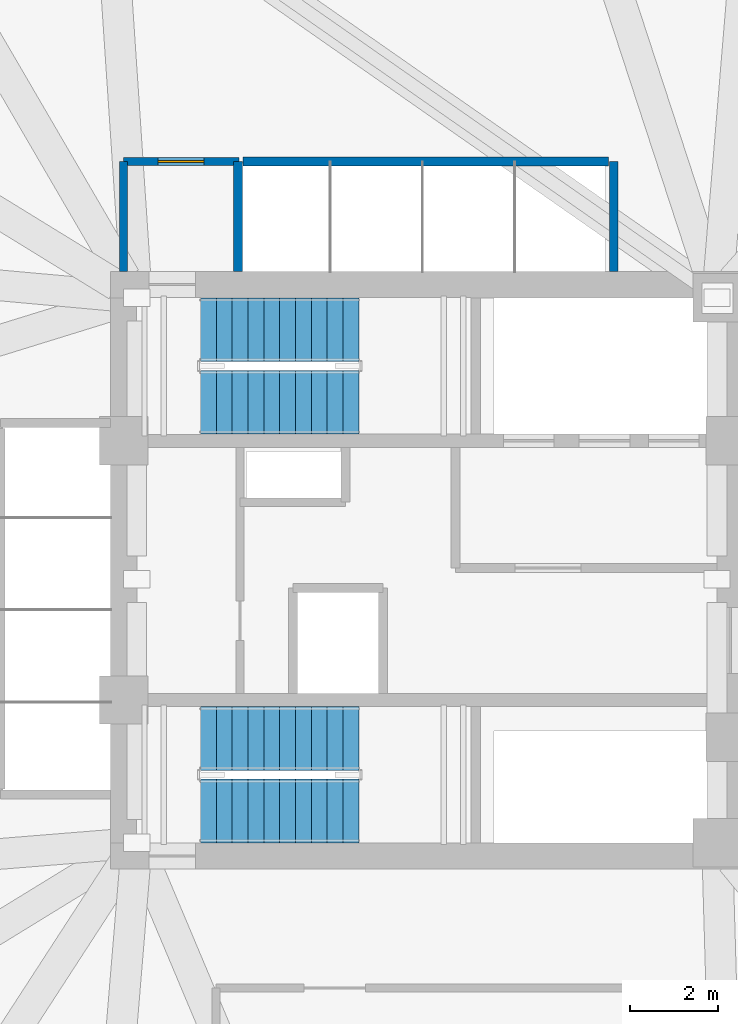
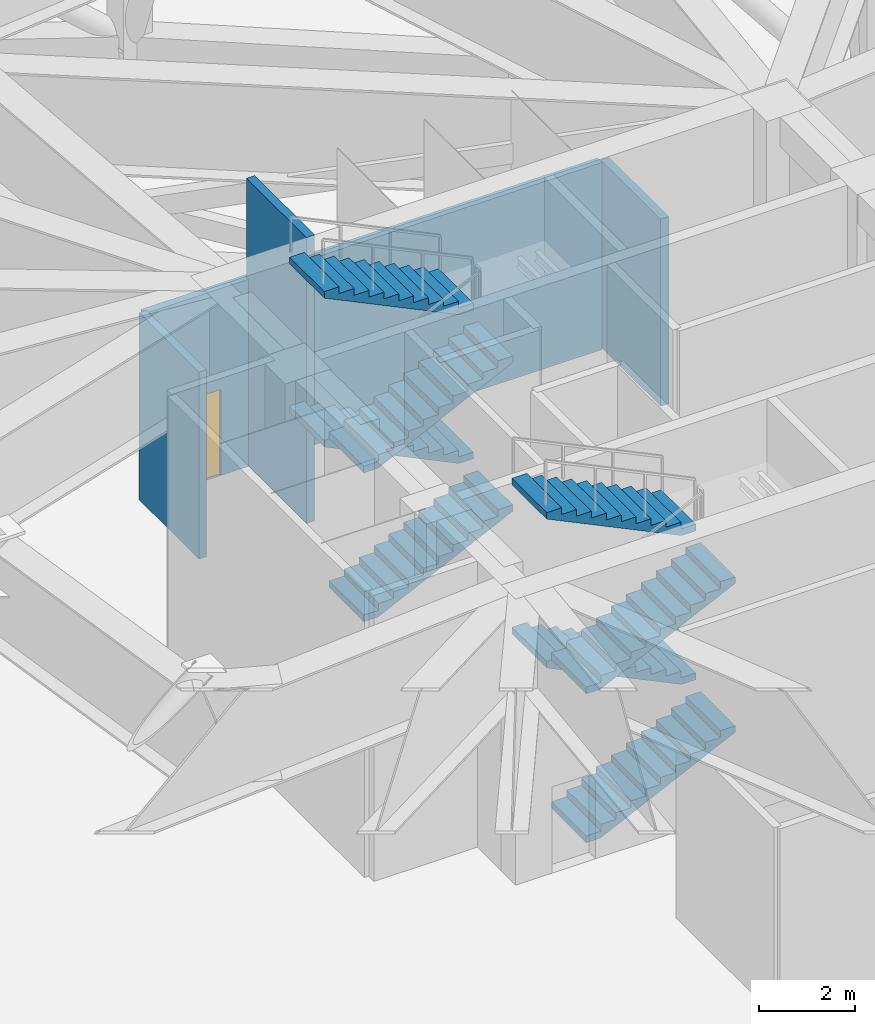
# One storey, part 5 of 8: 8 stair flights, 5 walls, 1 door, 1 opening, 2 elements without a shape of their own.
"""IFC4 building model written with IfcOpenShell, lengths in metres."""

from ifc_helpers import new_model, si_unit, direction, frame, frame_2d, origin, place, context, subcontext, project, spatial, polyline, rectangle, outline, extrude, material, layer, layer_set, type_object, element, fill, aggregate, save


model = new_model("IFC4")

# Units and contexts
model_context = context("Model", 3, precision=1e-05, world=origin(), true_north=direction((0.0, 1.0)))
body_context = subcontext(model_context, "Body", "Model", "MODEL_VIEW")
ifc_project = project(units=[si_unit("LENGTHUNIT", "METRE"), si_unit("AREAUNIT", "SQUARE_METRE"), si_unit("VOLUMEUNIT", "CUBIC_METRE"), si_unit("PLANEANGLEUNIT", "RADIAN"), si_unit("MASSUNIT", "GRAM", prefix="KILO")], contexts=[model_context])

# Site, building, storey
site_placement = place(None, origin())
site = spatial("IfcSite", under=ifc_project, at=site_placement, CompositionType="ELEMENT")
building_placement = place(site_placement, origin())
building = spatial("IfcBuilding", under=site, at=building_placement, Name="Tavelor Broadcast Tower", CompositionType="ELEMENT")
storey_placement = place(building_placement, frame((0.0, 0.0, 102.800048828125)))
storey = spatial("IfcBuildingStorey", under=building, at=storey_placement, Name="L24", CompositionType="ELEMENT", Elevation=102.800048828125)

# Wall, opening, door
ifc_material_1 = material(Name="Calcium Silicate Fire Board 180 mm", Category="gypsum")
ifc_layer_1 = layer(ifc_material_1, 0.179931640625)
ifc_layer_set_1 = layer_set([ifc_layer_1], Name="Calcium Silicate Fire Board 180 mm")
wall_type_1 = type_object("IfcWallType", Name="Fire-Rated Corridor Partition Wall 180 mm", PredefinedType="PARTITIONING", material=ifc_layer_set_1)
wall_1_placement = place(storey_placement, frame((43.10009765625, 54.300048828125, 0.0), z_axis=(0.0, 0.0, 1.0), x_axis=(1.0, 0.0, 0.0)))
wall_1 = element("IfcWall", 1, at=wall_1_placement, inside=storey, type_object=wall_type_1, Name="L24 Stair ST1 Lobby North Wall", PredefinedType="PARTITIONING", context=body_context, shape_type="SweptSolid", body=[
    extrude(rectangle(XDim=2.619873046875, YDim=0.179931640625, at=frame_2d((1.31005859375, 0.0))), origin(), (0.0, 0.0, 1.0), 4.77490234375),
])
opening_placement = place(wall_1_placement, frame((0.780029296875, 0.0, 0.0)))
opening = element("IfcOpeningElement", 2, at=opening_placement, cuts=wall_1, Name="Opening DR11", PredefinedType="OPENING", context=body_context, shape_type="SweptSolid", body=[
    extrude(rectangle(XDim=1.050048828125, YDim=2.199951171875, at=frame_2d((0.52490234375, 1.10009765625))), frame((0.0, 0.10009765625, 0.0), z_axis=(0.0, -1.0, 0.0), x_axis=(1.0, 0.0, 0.0)), (0.0, 0.0, 1.0), 0.199951171875),
])
ifc_material_2 = material(Name="Steel S355", Category="steel")
door_type = type_object("IfcDoorType", Name="Stair Core Fire Escape Door 1050x2200", OperationType="NOTDEFINED", PredefinedType="DOOR", material=ifc_material_2)
door_placement = place(opening_placement, origin())
door = element("IfcDoor", 3, at=door_placement, inside=storey, type_object=door_type, Name="L24 Stair ST1 Lobby Corridor Door", OperationType="SINGLE_SWING_LEFT", OverallHeight=2.199951171875, OverallWidth=1.050048828125, PredefinedType="DOOR", context=body_context, shape_type="SweptSolid", body=[
    extrude(rectangle(XDim=1.050048828125, YDim=2.199951171875, at=frame_2d((0.52490234375, 1.10009765625))), frame((0.0, 0.02490234375, 0.0), z_axis=(0.0, -1.0, 0.0), x_axis=(1.0, 0.0, 0.0)), (0.0, 0.0, 1.0), 0.050048828125),
])
fill(opening, door)

# Walls
wall_2_placement = place(storey_placement, frame((43.10009765625, 51.800048828125, 0.0), z_axis=(0.0, 0.0, 1.0), x_axis=(0.0, 1.0, 0.0)))
element("IfcWall", 4, at=wall_2_placement, inside=storey, type_object=wall_type_1, Name="L24 Stair ST1 Lobby West Wall", PredefinedType="PARTITIONING", context=body_context, shape_type="SweptSolid", body=[
    extrude(rectangle(XDim=2.5, YDim=0.179931640625, at=frame_2d((1.25, 0.0))), origin(), (0.0, 0.0, 1.0), 4.77490234375),
])
ifc_material_3 = material(Name="Concrete Blockwork 200 mm", Category="masonry")
ifc_layer_2 = layer(ifc_material_3, 0.199951171875)
ifc_layer_set_2 = layer_set([ifc_layer_2], Name="Concrete Blockwork 200 mm")
wall_type_2 = type_object("IfcWallType", Name="Lift Hoistway Rated Front Wall 200 mm", PredefinedType="PARTITIONING", material=ifc_layer_set_2)
wall_3_placement = place(storey_placement, frame((45.820068359375, 54.300048828125, 0.0), z_axis=(0.0, 0.0, 1.0), x_axis=(1.0, 0.0, 0.0)))
element("IfcWall", 5, at=wall_3_placement, inside=storey, type_object=wall_type_2, Name="L24 High-Rise Lift Hoistway Front Wall", PredefinedType="PARTITIONING", context=body_context, shape_type="SweptSolid", body=[
    extrude(rectangle(XDim=8.309814453125, YDim=0.199951171875, at=frame_2d((4.15478515625, 0.0))), origin(), (0.0, 0.0, 1.0), 4.77490234375),
])
ifc_layer_3 = layer(ifc_material_3, 0.199951171875)
ifc_layer_set_3 = layer_set([ifc_layer_3], Name="Concrete Blockwork 200 mm")
wall_type_3 = type_object("IfcWallType", Name="Lift and Riser Shaft Enclosure Wall 200 mm", PredefinedType="PARTITIONING", material=ifc_layer_set_3)
wall_4_placement = place(storey_placement, frame((45.699951171875, 51.800048828125, 0.0), z_axis=(0.0, 0.0, 1.0), x_axis=(0.0, 1.0, 0.0)))
element("IfcWall", 6, at=wall_4_placement, inside=storey, type_object=wall_type_3, Name="L24 High-Rise Lift Shaft West Wall", PredefinedType="PARTITIONING", context=body_context, shape_type="SweptSolid", body=[
    extrude(rectangle(XDim=2.5, YDim=0.199951171875, at=frame_2d((1.25, 0.0))), origin(), (0.0, 0.0, 1.0), 7.300048828125),
])
wall_5_placement = place(storey_placement, frame((54.25, 51.800048828125, 0.0), z_axis=(0.0, 0.0, 1.0), x_axis=(0.0, 1.0, 0.0)))
element("IfcWall", 7, at=wall_5_placement, inside=storey, type_object=wall_type_3, Name="L24 High-Rise Lift Shaft East Wall", PredefinedType="PARTITIONING", context=body_context, shape_type="SweptSolid", body=[
    extrude(rectangle(XDim=2.5, YDim=0.199951171875, at=frame_2d((1.25, 0.0))), origin(), (0.0, 0.0, 1.0), 4.77490234375),
])

# Stair, stair flights
ifc_material_4 = material(Name="Concrete C40/50", Category="concrete")
stair_type = type_object("IfcStairType", Name="Reinforced Concrete Protected Dogleg Stair 1450 mm", PredefinedType="HALF_TURN_STAIR", material=ifc_material_4)
stair_1_placement = place(storey_placement, origin())
stair_1 = element("IfcStair", 8, at=stair_1_placement, inside=storey, type_object=stair_type, Name="L24 Protected Core Exit Stair ST1", PredefinedType="HALF_TURN_STAIR")
stair_flight_type = type_object("IfcStairFlightType", Name="Reinforced Concrete Stair Flight 1450 mm", PredefinedType="STRAIGHT", material=ifc_material_4)
stair_flight_1_placement = place(storey_placement, frame((44.85009765625, 48.824951171875, 0.0), z_axis=(0.0, 0.0, 1.0), x_axis=(1.0, 0.0, 0.0)))
stair_flight_1 = element("IfcStairFlight", 9, at=stair_flight_1_placement, type_object=stair_flight_type, Name="ST1 flight 1", NumberOfRisers=11, NumberOfTreads=10, PredefinedType="STRAIGHT", RiserHeight=0.172727273, TreadLength=0.36, context=body_context, shape_type="SweptSolid", body=[
    extrude(outline(polyline([(0.0, 0.0), (0.0, 0.172607421875), (0.360107421875, 0.172607421875), (0.360107421875, 0.345458984375), (0.719970703125, 0.345458984375), (0.719970703125, 0.51806640625), (1.080078125, 0.51806640625), (1.080078125, 0.69091796875), (1.43994140625, 0.69091796875), (1.43994140625, 0.863525390625), (1.800048828125, 0.863525390625), (1.800048828125, 1.036376953125), (2.159912109375, 1.036376953125), (2.159912109375, 1.208984375), (2.52001953125, 1.208984375), (2.52001953125, 1.3818359375), (2.8798828125, 1.3818359375), (2.8798828125, 1.554443359375), (3.239990234375, 1.554443359375), (3.239990234375, 1.727294921875), (3.60009765625, 1.727294921875), (3.60009765625, 1.89990234375), (3.60009765625, 1.56103515625), (0.346435546875, 0.0), (0.0, 0.0)])), frame((0.0, 0.72509765625, 0.0), z_axis=(0.0, -1.0, 0.0), x_axis=(1.0, 0.0, 0.0)), (0.0, 0.0, 1.0), 1.449951171875),
])
stair_flight_2_placement = place(storey_placement, frame((48.449951171875, 50.47509765625, 1.89990234375), z_axis=(0.0, 0.0, 1.0), x_axis=(-1.0, 0.0, 0.0)))
stair_flight_2 = element("IfcStairFlight", 10, at=stair_flight_2_placement, type_object=stair_flight_type, Name="ST1 flight 2", NumberOfRisers=11, NumberOfTreads=10, PredefinedType="STRAIGHT", RiserHeight=0.172727273, TreadLength=0.36, context=body_context, shape_type="SweptSolid", body=[
    extrude(outline(polyline([(0.0, 0.0), (0.0, 0.172607421875), (0.360107421875, 0.172607421875), (0.360107421875, 0.345458984375), (0.719970703125, 0.345458984375), (0.719970703125, 0.51806640625), (1.080078125, 0.51806640625), (1.080078125, 0.69091796875), (1.43994140625, 0.69091796875), (1.43994140625, 0.863525390625), (1.800048828125, 0.863525390625), (1.800048828125, 1.036376953125), (2.159912109375, 1.036376953125), (2.159912109375, 1.208984375), (2.52001953125, 1.208984375), (2.52001953125, 1.3818359375), (2.8798828125, 1.3818359375), (2.8798828125, 1.554443359375), (3.239990234375, 1.554443359375), (3.239990234375, 1.727294921875), (3.60009765625, 1.727294921875), (3.60009765625, 1.89990234375), (3.60009765625, 1.56103515625), (0.346435546875, 0.0), (0.0, 0.0)])), frame((0.0, 0.72509765625, 0.0), z_axis=(0.0, -1.0, 0.0), x_axis=(1.0, 0.0, 0.0)), (0.0, 0.0, 1.0), 1.449951171875),
])
stair_flight_3_placement = place(storey_placement, frame((44.85009765625, 48.824951171875, 3.800048828125), z_axis=(0.0, 0.0, 1.0), x_axis=(1.0, 0.0, 0.0)))
stair_flight_3 = element("IfcStairFlight", 11, at=stair_flight_3_placement, type_object=stair_flight_type, Name="ST1 flight 3", NumberOfRisers=11, NumberOfTreads=10, PredefinedType="STRAIGHT", RiserHeight=0.172727273, TreadLength=0.36, context=body_context, shape_type="SweptSolid", body=[
    extrude(outline(polyline([(0.0, 0.0), (0.0, 0.172607421875), (0.360107421875, 0.172607421875), (0.360107421875, 0.345458984375), (0.719970703125, 0.345458984375), (0.719970703125, 0.51806640625), (1.080078125, 0.51806640625), (1.080078125, 0.69091796875), (1.43994140625, 0.69091796875), (1.43994140625, 0.863525390625), (1.800048828125, 0.863525390625), (1.800048828125, 1.036376953125), (2.159912109375, 1.036376953125), (2.159912109375, 1.208984375), (2.52001953125, 1.208984375), (2.52001953125, 1.3818359375), (2.8798828125, 1.3818359375), (2.8798828125, 1.554443359375), (3.239990234375, 1.554443359375), (3.239990234375, 1.727294921875), (3.60009765625, 1.727294921875), (3.60009765625, 1.89990234375), (3.60009765625, 1.56103515625), (0.346435546875, 0.0), (0.0, 0.0)])), frame((0.0, 0.72509765625, 0.0), z_axis=(0.0, -1.0, 0.0), x_axis=(1.0, 0.0, 0.0)), (0.0, 0.0, 1.0), 1.449951171875),
])
stair_flight_4_placement = place(storey_placement, frame((48.449951171875, 50.47509765625, 5.699951171875), z_axis=(0.0, 0.0, 1.0), x_axis=(-1.0, 0.0, 0.0)))
stair_flight_4 = element("IfcStairFlight", 12, at=stair_flight_4_placement, type_object=stair_flight_type, Name="ST1 flight 4", NumberOfRisers=11, NumberOfTreads=10, PredefinedType="STRAIGHT", RiserHeight=0.172727273, TreadLength=0.36, context=body_context, shape_type="SweptSolid", body=[
    extrude(outline(polyline([(0.0, 0.0), (0.0, 0.172607421875), (0.360107421875, 0.172607421875), (0.360107421875, 0.345458984375), (0.719970703125, 0.345458984375), (0.719970703125, 0.51806640625), (1.080078125, 0.51806640625), (1.080078125, 0.69091796875), (1.43994140625, 0.69091796875), (1.43994140625, 0.863525390625), (1.800048828125, 0.863525390625), (1.800048828125, 1.036376953125), (2.159912109375, 1.036376953125), (2.159912109375, 1.208984375), (2.52001953125, 1.208984375), (2.52001953125, 1.3818359375), (2.8798828125, 1.3818359375), (2.8798828125, 1.554443359375), (3.239990234375, 1.554443359375), (3.239990234375, 1.727294921875), (3.60009765625, 1.727294921875), (3.60009765625, 1.89990234375), (3.60009765625, 1.56103515625), (0.346435546875, 0.0), (0.0, 0.0)])), frame((0.0, 0.72509765625, 0.0), z_axis=(0.0, -1.0, 0.0), x_axis=(1.0, 0.0, 0.0)), (0.0, 0.0, 1.0), 1.449951171875),
])
aggregate(stair_1, [stair_flight_1, stair_flight_2, stair_flight_3, stair_flight_4])

stair_2_placement = place(storey_placement, origin())
stair_2 = element("IfcStair", 13, at=stair_2_placement, inside=storey, type_object=stair_type, Name="L24 Protected Core Exit Stair ST2", PredefinedType="HALF_TURN_STAIR")
stair_flight_5_placement = place(storey_placement, frame((44.85009765625, 39.52490234375, 0.0), z_axis=(0.0, 0.0, 1.0), x_axis=(1.0, 0.0, 0.0)))
stair_flight_5 = element("IfcStairFlight", 14, at=stair_flight_5_placement, type_object=stair_flight_type, Name="ST2 flight 1", NumberOfRisers=11, NumberOfTreads=10, PredefinedType="STRAIGHT", RiserHeight=0.172727273, TreadLength=0.36, context=body_context, shape_type="SweptSolid", body=[
    extrude(outline(polyline([(0.0, 0.0), (0.0, 0.172607421875), (0.360107421875, 0.172607421875), (0.360107421875, 0.345458984375), (0.719970703125, 0.345458984375), (0.719970703125, 0.51806640625), (1.080078125, 0.51806640625), (1.080078125, 0.69091796875), (1.43994140625, 0.69091796875), (1.43994140625, 0.863525390625), (1.800048828125, 0.863525390625), (1.800048828125, 1.036376953125), (2.159912109375, 1.036376953125), (2.159912109375, 1.208984375), (2.52001953125, 1.208984375), (2.52001953125, 1.3818359375), (2.8798828125, 1.3818359375), (2.8798828125, 1.554443359375), (3.239990234375, 1.554443359375), (3.239990234375, 1.727294921875), (3.60009765625, 1.727294921875), (3.60009765625, 1.89990234375), (3.60009765625, 1.56103515625), (0.346435546875, 0.0), (0.0, 0.0)])), frame((0.0, 0.72509765625, 0.0), z_axis=(0.0, -1.0, 0.0), x_axis=(1.0, 0.0, 0.0)), (0.0, 0.0, 1.0), 1.449951171875),
])
stair_flight_6_placement = place(storey_placement, frame((48.449951171875, 41.175048828125, 1.89990234375), z_axis=(0.0, 0.0, 1.0), x_axis=(-1.0, 0.0, 0.0)))
stair_flight_6 = element("IfcStairFlight", 15, at=stair_flight_6_placement, type_object=stair_flight_type, Name="ST2 flight 2", NumberOfRisers=11, NumberOfTreads=10, PredefinedType="STRAIGHT", RiserHeight=0.172727273, TreadLength=0.36, context=body_context, shape_type="SweptSolid", body=[
    extrude(outline(polyline([(0.0, 0.0), (0.0, 0.172607421875), (0.360107421875, 0.172607421875), (0.360107421875, 0.345458984375), (0.719970703125, 0.345458984375), (0.719970703125, 0.51806640625), (1.080078125, 0.51806640625), (1.080078125, 0.69091796875), (1.43994140625, 0.69091796875), (1.43994140625, 0.863525390625), (1.800048828125, 0.863525390625), (1.800048828125, 1.036376953125), (2.159912109375, 1.036376953125), (2.159912109375, 1.208984375), (2.52001953125, 1.208984375), (2.52001953125, 1.3818359375), (2.8798828125, 1.3818359375), (2.8798828125, 1.554443359375), (3.239990234375, 1.554443359375), (3.239990234375, 1.727294921875), (3.60009765625, 1.727294921875), (3.60009765625, 1.89990234375), (3.60009765625, 1.56103515625), (0.346435546875, 0.0), (0.0, 0.0)])), frame((0.0, 0.72509765625, 0.0), z_axis=(0.0, -1.0, 0.0), x_axis=(1.0, 0.0, 0.0)), (0.0, 0.0, 1.0), 1.449951171875),
])
stair_flight_7_placement = place(storey_placement, frame((44.85009765625, 39.52490234375, 3.800048828125), z_axis=(0.0, 0.0, 1.0), x_axis=(1.0, 0.0, 0.0)))
stair_flight_7 = element("IfcStairFlight", 16, at=stair_flight_7_placement, type_object=stair_flight_type, Name="ST2 flight 3", NumberOfRisers=11, NumberOfTreads=10, PredefinedType="STRAIGHT", RiserHeight=0.172727273, TreadLength=0.36, context=body_context, shape_type="SweptSolid", body=[
    extrude(outline(polyline([(0.0, 0.0), (0.0, 0.172607421875), (0.360107421875, 0.172607421875), (0.360107421875, 0.345458984375), (0.719970703125, 0.345458984375), (0.719970703125, 0.51806640625), (1.080078125, 0.51806640625), (1.080078125, 0.69091796875), (1.43994140625, 0.69091796875), (1.43994140625, 0.863525390625), (1.800048828125, 0.863525390625), (1.800048828125, 1.036376953125), (2.159912109375, 1.036376953125), (2.159912109375, 1.208984375), (2.52001953125, 1.208984375), (2.52001953125, 1.3818359375), (2.8798828125, 1.3818359375), (2.8798828125, 1.554443359375), (3.239990234375, 1.554443359375), (3.239990234375, 1.727294921875), (3.60009765625, 1.727294921875), (3.60009765625, 1.89990234375), (3.60009765625, 1.56103515625), (0.346435546875, 0.0), (0.0, 0.0)])), frame((0.0, 0.72509765625, 0.0), z_axis=(0.0, -1.0, 0.0), x_axis=(1.0, 0.0, 0.0)), (0.0, 0.0, 1.0), 1.449951171875),
])
stair_flight_8_placement = place(storey_placement, frame((48.449951171875, 41.175048828125, 5.699951171875), z_axis=(0.0, 0.0, 1.0), x_axis=(-1.0, 0.0, 0.0)))
stair_flight_8 = element("IfcStairFlight", 17, at=stair_flight_8_placement, type_object=stair_flight_type, Name="ST2 flight 4", NumberOfRisers=11, NumberOfTreads=10, PredefinedType="STRAIGHT", RiserHeight=0.172727273, TreadLength=0.36, context=body_context, shape_type="SweptSolid", body=[
    extrude(outline(polyline([(0.0, 0.0), (0.0, 0.172607421875), (0.360107421875, 0.172607421875), (0.360107421875, 0.345458984375), (0.719970703125, 0.345458984375), (0.719970703125, 0.51806640625), (1.080078125, 0.51806640625), (1.080078125, 0.69091796875), (1.43994140625, 0.69091796875), (1.43994140625, 0.863525390625), (1.800048828125, 0.863525390625), (1.800048828125, 1.036376953125), (2.159912109375, 1.036376953125), (2.159912109375, 1.208984375), (2.52001953125, 1.208984375), (2.52001953125, 1.3818359375), (2.8798828125, 1.3818359375), (2.8798828125, 1.554443359375), (3.239990234375, 1.554443359375), (3.239990234375, 1.727294921875), (3.60009765625, 1.727294921875), (3.60009765625, 1.89990234375), (3.60009765625, 1.56103515625), (0.346435546875, 0.0), (0.0, 0.0)])), frame((0.0, 0.72509765625, 0.0), z_axis=(0.0, -1.0, 0.0), x_axis=(1.0, 0.0, 0.0)), (0.0, 0.0, 1.0), 1.449951171875),
])
aggregate(stair_2, [stair_flight_5, stair_flight_6, stair_flight_7, stair_flight_8])

save(model, "model.ifc")
